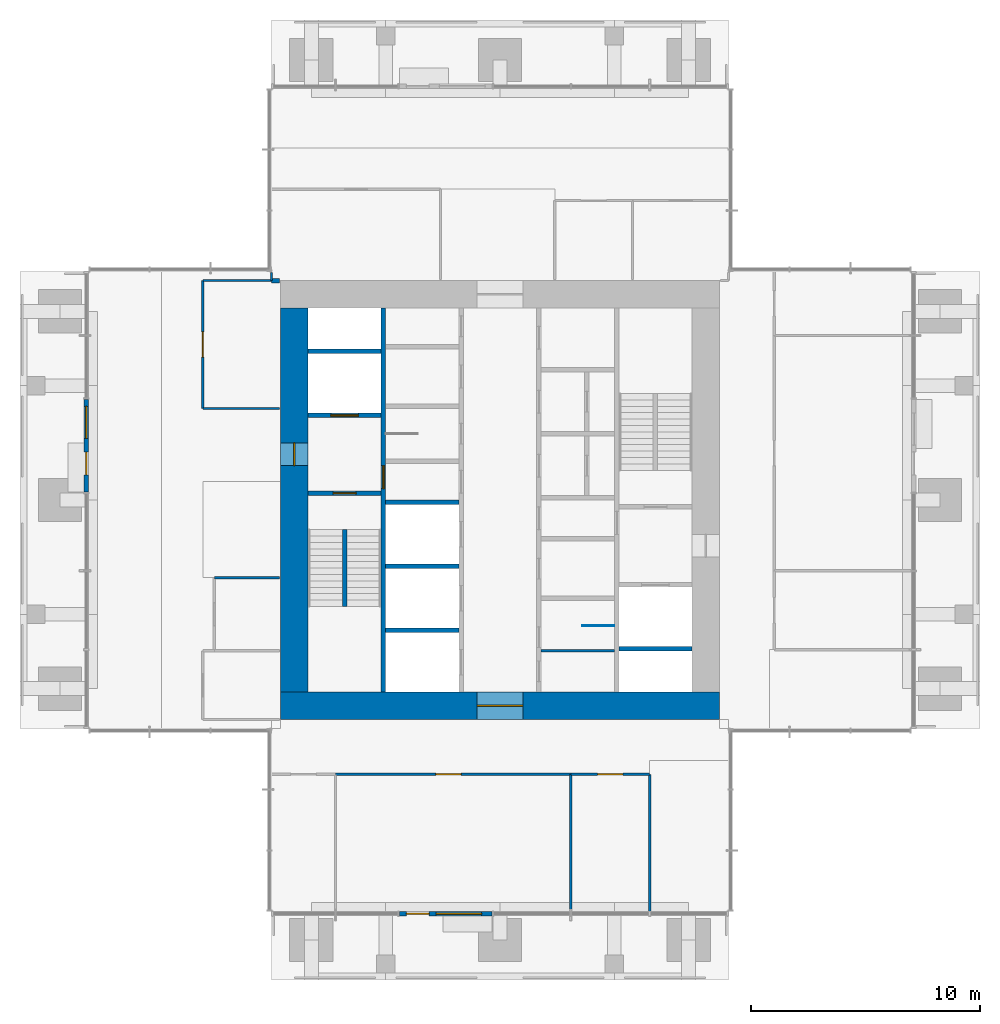
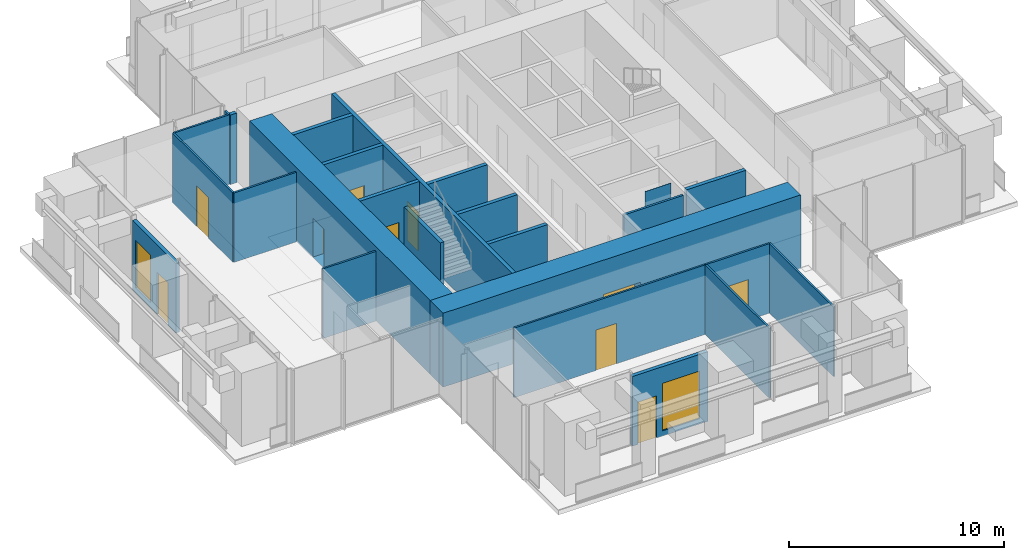
# One storey, part 7 of 12: 25 walls, 10 doors, 2 windows, 12 openings.
"""IFC4 building model written with IfcOpenShell, lengths in metres."""

import ifcopenshell
import ifcopenshell.guid

model = None  # the IFC model being written
_history = None  # IfcOwnerHistory: only IFC2X3 demands one
_inside = {}  # id of a spatial element -> (the spatial element, [elements in it])
_under = {}  # id of a project, library or spatial element -> (it, [spatial elements below it])
_declared = {}  # id of a project -> (the project, [libraries it declares])
_typed = {}  # id of a type object -> (the type object, [elements of that type])
_made_of = {}  # id of a material, layer set ... -> (it, [elements and type objects made of it])


def new_model(schema):
    """Start an empty IFC model of exactly this schema.

    Asked for "IFC4X3", IfcOpenShell would pick the latest addendum, in which some entities
    have other attributes; the version numbers below select the first issue.
    IFC2X3 requires an IfcOwnerHistory on every rooted entity: one is made here for all.
    """
    global model, _history
    if schema == "IFC4X3":
        model = ifcopenshell.file(schema_version=(4, 3, 0, 0))
    else:
        model = ifcopenshell.file(schema=schema)
    _inside.clear()
    _under.clear()
    _declared.clear()
    _typed.clear()
    _made_of.clear()
    _history = None
    if model.schema == "IFC2X3":
        org = make("IfcOrganization", Name="unknown")
        user = make(
            "IfcPersonAndOrganization",
            ThePerson=make("IfcPerson", FamilyName="unknown"),
            TheOrganization=org,
        )
        app = make(
            "IfcApplication",
            ApplicationDeveloper=org,
            Version="unknown",
            ApplicationFullName="unknown",
            ApplicationIdentifier="unknown",
        )
        _history = make(
            "IfcOwnerHistory",
            OwningUser=user,
            OwningApplication=app,
            ChangeAction="ADDED",
            CreationDate=0,
        )
    return model


def make(cls, **values):
    """One entity of the class cls with the attributes given. An attribute that is None is left unset."""
    return model.create_entity(
        cls, **{name: value for name, value in values.items() if value is not None}
    )


def rooted(cls, **values):
    """An entity with a GlobalId (a new one), such as an element, a storey or a relation."""
    return make(cls, GlobalId=ifcopenshell.guid.new(), OwnerHistory=_history, **values)


def si_unit(unit_type, name, prefix=None):
    """IfcSIUnit, for example si_unit("LENGTHUNIT", "METRE", prefix="MILLI")."""
    return make("IfcSIUnit", UnitType=unit_type, Prefix=prefix, Name=name)


def assignment(units):
    """IfcUnitAssignment: the units of a project."""
    return None if units is None else make("IfcUnitAssignment", Units=units)


def point(xyz):
    """IfcCartesianPoint."""
    return None if xyz is None else make("IfcCartesianPoint", Coordinates=xyz)


def direction(xyz):
    """IfcDirection."""
    return None if xyz is None else make("IfcDirection", DirectionRatios=xyz)


def frame(location, z_axis=None, x_axis=None):
    """IfcAxis2Placement3D, a coordinate frame: its origin and axes. An axis left out is left unset."""
    return make(
        "IfcAxis2Placement3D",
        Location=point(location),
        Axis=direction(z_axis),
        RefDirection=direction(x_axis),
    )


def frame_2d(location, x_axis=None):
    """IfcAxis2Placement2D, a coordinate frame in the plane: its origin and x axis."""
    return make(
        "IfcAxis2Placement2D", Location=point(location), RefDirection=direction(x_axis)
    )


def origin():
    """The frame at (0, 0, 0) with its axes left unset."""
    return frame((0.0, 0.0, 0.0))


def place(relative_to, where):
    """IfcLocalPlacement: puts the frame where relative to a parent placement (None: the world)."""
    return make(
        "IfcLocalPlacement", PlacementRelTo=relative_to, RelativePlacement=where
    )


def context(
    kind, dimensions, precision=None, world=None, true_north=None, identifier=None
):
    """IfcGeometricRepresentationContext, for example the 3D "Model" context."""
    return make(
        "IfcGeometricRepresentationContext",
        ContextIdentifier=identifier,
        ContextType=kind,
        CoordinateSpaceDimension=dimensions,
        Precision=precision,
        WorldCoordinateSystem=world,
        TrueNorth=true_north,
    )


def subcontext(parent, identifier, kind, view, scale=None):
    """IfcGeometricRepresentationSubContext, for example "Body" below "Model"."""
    return make(
        "IfcGeometricRepresentationSubContext",
        ContextIdentifier=identifier,
        ContextType=kind,
        ParentContext=parent,
        TargetScale=scale,
        TargetView=view,
    )


def project(units=None, contexts=None):
    """IfcProject with its units and contexts."""
    return rooted(
        "IfcProject",
        Name="project",
        RepresentationContexts=contexts,
        UnitsInContext=assignment(units),
    )


def spatial(cls, under=None, at=None, **own):
    """A site, building, storey or space (cls), placed at a placement, below another one or the project."""
    s = rooted(cls, ObjectPlacement=at, **own)
    if under is not None:
        _under.setdefault(under.id(), (under, []))[1].append(s)
    return s


def profile(cls, at=None, kind="AREA", **sizes):
    """A parametric profile (cls). Its sizes go by their IFC names, for example OverallWidth=200.0."""
    return make(cls, ProfileType=kind, Position=at, **sizes)


def rectangle(**sizes):
    """IfcRectangleProfileDef."""
    return profile("IfcRectangleProfileDef", **sizes)


def extrude(swept, where, along, depth):
    """IfcExtrudedAreaSolid: the profile swept, set in the frame where, extruded along a direction by depth."""
    return make(
        "IfcExtrudedAreaSolid",
        SweptArea=swept,
        Position=where,
        ExtrudedDirection=direction(along),
        Depth=depth,
    )


def shape(context_of_items, identifier, shape_type, items):
    """IfcShapeRepresentation: the items that make up one representation, for example the "Body"."""
    return make(
        "IfcShapeRepresentation",
        ContextOfItems=context_of_items,
        RepresentationIdentifier=identifier,
        RepresentationType=shape_type,
        Items=items,
    )


def material(Name=None, Category=None):
    """IfcMaterial."""
    return make("IfcMaterial", Name=Name, Category=Category)


def layer(
    of_material, thickness, ventilated=None, Name=None, Category=None, Priority=None
):
    """IfcMaterialLayer: one layer of a wall or slab, of a material (None: an air gap)."""
    return make(
        "IfcMaterialLayer",
        Material=of_material,
        LayerThickness=thickness,
        IsVentilated=ventilated,
        Name=Name,
        Category=Category,
        Priority=Priority,
    )


def layer_set(layers, Name=None):
    """IfcMaterialLayerSet."""
    return make("IfcMaterialLayerSet", MaterialLayers=layers, LayerSetName=Name)


def made_of(thing, what):
    """Note that an element or type object is made of a material, layer set ...; save() writes the relation."""
    if what is not None:
        _made_of.setdefault(what.id(), (what, []))[1].append(thing)
    return thing


def type_object(cls, material=None, **own):
    """A type object (cls), such as IfcWallType, which elements share."""
    return made_of(rooted(cls, **own), material)


def element(
    cls,
    number,
    at=None,
    inside=None,
    cuts=None,
    type_object=None,
    material=None,
    context=None,
    identifier="Body",
    shape_type=None,
    held_by="IfcProductDefinitionShape",
    body=None,
    shapes=None,
    **own,
):
    """One element of the class cls, such as IfcWall. Its Tag is "e" and its number.

    at: its placement. inside: the storey or other place that contains it. cuts: it is an
    opening in that element (IfcRelVoidsElement). A single representation is given by context,
    identifier, shape_type and body (its items); several are given by shapes. held_by: the class
    of the entity that holds the representations. save() writes the other relations.
    """
    e = rooted(cls, Tag="e%d" % number, ObjectPlacement=at, **own)
    if body is not None:
        shapes = [shape(context, identifier, shape_type, body)]
    if shapes is not None:
        e.Representation = make(held_by, Representations=shapes)
    if inside is not None:
        _inside.setdefault(inside.id(), (inside, []))[1].append(e)
    if cuts is not None:
        rooted(
            "IfcRelVoidsElement", RelatingBuildingElement=cuts, RelatedOpeningElement=e
        )
    if type_object is not None:
        _typed.setdefault(type_object.id(), (type_object, []))[1].append(e)
    return made_of(e, material)


def fill(opening, filler):
    """IfcRelFillsElement: the door or window that sits in an opening."""
    return rooted(
        "IfcRelFillsElement",
        RelatingOpeningElement=opening,
        RelatedBuildingElement=filler,
    )


def aggregate(whole, parts):
    """IfcRelAggregates: a whole, such as a stair, and the parts it consists of."""
    return rooted("IfcRelAggregates", RelatingObject=whole, RelatedObjects=parts)


def save(model, path):
    """Write the relations noted so far, then the file.

    IfcRelAggregates (storeys below a building ...), IfcRelContainedInSpatialStructure (elements
    in a storey), IfcRelDefinesByType, IfcRelAssociatesMaterial and IfcRelDeclares: one each for
    every whole, place, type object, material and project.
    """
    for whole, parts in _under.values():
        aggregate(whole, parts)
    for where, things in _inside.values():
        rooted(
            "IfcRelContainedInSpatialStructure",
            RelatedElements=things,
            RelatingStructure=where,
        )
    for kind, things in _typed.values():
        rooted("IfcRelDefinesByType", RelatedObjects=things, RelatingType=kind)
    for what, things in _made_of.values():
        rooted("IfcRelAssociatesMaterial", RelatedObjects=things, RelatingMaterial=what)
    for by, libraries in _declared.values():
        rooted("IfcRelDeclares", RelatingContext=by, RelatedDefinitions=libraries)
    model.write(path)


model = new_model("IFC4")

# Units and contexts
model_context = context("Model", 3, precision=1e-05, world=origin(), true_north=direction((0.0, 1.0)))
body_context = subcontext(model_context, "Body", "Model", "MODEL_VIEW")
ifc_project = project(units=[si_unit("LENGTHUNIT", "METRE"), si_unit("AREAUNIT", "SQUARE_METRE"), si_unit("VOLUMEUNIT", "CUBIC_METRE"), si_unit("PLANEANGLEUNIT", "RADIAN"), si_unit("MASSUNIT", "GRAM", prefix="KILO")], contexts=[model_context])

# Site, building, storey
site_placement = place(None, origin())
site = spatial("IfcSite", under=ifc_project, at=site_placement, CompositionType="ELEMENT")
building_placement = place(site_placement, origin())
building = spatial("IfcBuilding", under=site, at=building_placement, Name="Svetlomir Tower", CompositionType="ELEMENT")
storey_placement = place(building_placement, frame((0.0, 0.0, 248.199951171875)))
storey = spatial("IfcBuildingStorey", under=building, at=storey_placement, Name="L59", CompositionType="ELEMENT", Elevation=248.199951171875)

# Wall
ifc_material_1 = material(Name="Gypsum board on twin steel studs", Category="steel")
ifc_layer_1 = layer(ifc_material_1, 0.199951171875)
ifc_layer_set_1 = layer_set([ifc_layer_1], Name="Gypsum board on twin steel studs")
wall_type_1 = type_object("IfcWallType", Name="ACOUSTIC PARTITION 200", PredefinedType="PARTITIONING", material=ifc_layer_set_1)
wall_1_placement = place(storey_placement, frame((11.0, 30.60009765625, 0.0), z_axis=(0.0, 0.0, 1.0), x_axis=(1.0, 0.0, 0.0)))
element("IfcWall", 1, at=wall_1_placement, inside=storey, type_object=wall_type_1, Name="Acoustic partition L59", PredefinedType="PARTITIONING", context=body_context, shape_type="SweptSolid", body=[
    extrude(rectangle(XDim=0.35009765625, YDim=0.199951171875, at=frame_2d((0.175048828125, 0.0))), origin(), (0.0, 0.0, 1.0), 3.949951171875),
])

# Wall, openings, door, window
ifc_material_2 = material(Name="Bronze anodised aluminium glazed screen", Category="aluminium")
ifc_layer_2 = layer(ifc_material_2, 0.199951171875)
ifc_layer_set_2 = layer_set([ifc_layer_2], Name="Bronze anodised aluminium glazed screen")
wall_type_2 = type_object("IfcWallType", Name="BALCONY SCREEN WALL 200", PredefinedType="USERDEFINED", material=ifc_layer_set_2)
wall_2_placement = place(storey_placement, frame((16.60009765625, 2.89990234375, 0.0), z_axis=(0.0, 0.0, 1.0), x_axis=(1.0, 0.0, 0.0)))
wall_2 = element("IfcWall", 2, at=wall_2_placement, inside=storey, type_object=wall_type_2, Name="Balcony screen S", ObjectType="GLAZED SCREEN", PredefinedType="USERDEFINED", context=body_context, shape_type="SweptSolid", body=[
    extrude(rectangle(XDim=4.0498046875, YDim=0.199951171875, at=frame_2d((2.02490234375, 0.0))), origin(), (0.0, 0.0, 1.0), 3.949951171875),
])
opening_1_placement = place(wall_2_placement, frame((0.300048828125, 0.0, 0.0)))
opening_1 = element("IfcOpeningElement", 3, at=opening_1_placement, cuts=wall_2, Name="Opening BD", PredefinedType="OPENING", context=body_context, shape_type="SweptSolid", body=[
    extrude(rectangle(XDim=1.0, YDim=2.39990234375, at=frame_2d((0.5, 1.199951171875))), frame((0.0, 0.10986328125, 0.0), z_axis=(0.0, -1.0, 0.0), x_axis=(1.0, 0.0, 0.0)), (0.0, 0.0, 1.0), 0.219970703125),
])
opening_2_placement = place(wall_2_placement, frame((1.60009765625, 0.0, 0.300048828125)))
opening_2 = element("IfcOpeningElement", 4, at=opening_2_placement, cuts=wall_2, Name="Opening WS", PredefinedType="OPENING", context=body_context, shape_type="SweptSolid", body=[
    extrude(rectangle(XDim=2.0, YDim=2.699951171875, at=frame_2d((1.0, 1.35009765625))), frame((0.0, 0.10986328125, 0.0), z_axis=(0.0, -1.0, 0.0), x_axis=(1.0, 0.0, 0.0)), (0.0, 0.0, 1.0), 0.219970703125),
])
ifc_material_3 = material(Name="Bronze anodised aluminium glazed door", Category="aluminium")
door_type_1 = type_object("IfcDoorType", Name="BALCONY DOOR BD 1000x2400", OperationType="SINGLE_SWING_LEFT", PredefinedType="DOOR", material=ifc_material_3)
door_1_placement = place(opening_1_placement, origin())
door_1 = element("IfcDoor", 5, at=door_1_placement, inside=storey, type_object=door_type_1, Name="Balcony screen S door", OperationType="SINGLE_SWING_LEFT", OverallHeight=2.39990234375, OverallWidth=1.0, PredefinedType="DOOR", context=body_context, shape_type="SweptSolid", body=[
    extrude(rectangle(XDim=1.0, YDim=2.39990234375, at=frame_2d((0.5, 1.199951171875))), frame((0.0, 0.02490234375, 0.0), z_axis=(0.0, -1.0, 0.0), x_axis=(1.0, 0.0, 0.0)), (0.0, 0.0, 1.0), 0.050048828125),
])
fill(opening_1, door_1)
ifc_material_4 = material(Name="Bronze anodised aluminium window", Category="aluminium")
window_type_1 = type_object("IfcWindowType", Name="SCREEN WINDOW WS 2000x2700", PartitioningType="SINGLE_PANEL", PredefinedType="WINDOW", material=ifc_material_4)
window_1_placement = place(opening_2_placement, origin())
window_1 = element("IfcWindow", 6, at=window_1_placement, inside=storey, type_object=window_type_1, Name="Balcony screen S window 1", OverallHeight=2.699951171875, OverallWidth=2.0, PartitioningType="SINGLE_PANEL", PredefinedType="WINDOW", context=body_context, shape_type="SweptSolid", body=[
    extrude(rectangle(XDim=2.0, YDim=2.699951171875, at=frame_2d((1.0, 1.35009765625))), frame((0.0, 0.030029296875, 0.0), z_axis=(0.0, -1.0, 0.0), x_axis=(1.0, 0.0, 0.0)), (0.0, 0.0, 1.0), 0.06005859375),
])
fill(opening_2, window_1)

wall_3_placement = place(storey_placement, frame((2.89990234375, 25.39990234375, 0.0), z_axis=(0.0, 0.0, 1.0), x_axis=(0.0, -1.0, 0.0)))
wall_3 = element("IfcWall", 7, at=wall_3_placement, inside=storey, type_object=wall_type_2, Name="Balcony screen W", ObjectType="GLAZED SCREEN", PredefinedType="USERDEFINED", context=body_context, shape_type="SweptSolid", body=[
    extrude(rectangle(XDim=4.0498046875, YDim=0.199951171875, at=frame_2d((2.02490234375, 0.0))), origin(), (0.0, 0.0, 1.0), 3.949951171875),
])
opening_3_placement = place(wall_3_placement, frame((2.300048828125, 0.0, 0.0)))
opening_3 = element("IfcOpeningElement", 8, at=opening_3_placement, cuts=wall_3, Name="Opening BD", PredefinedType="OPENING", context=body_context, shape_type="SweptSolid", body=[
    extrude(rectangle(XDim=1.0, YDim=2.39990234375, at=frame_2d((0.5, 1.199951171875))), frame((0.0, 0.10986328125, 0.0), z_axis=(0.0, -1.0, 0.0), x_axis=(1.0, 0.0, 0.0)), (0.0, 0.0, 1.0), 0.219970703125),
])
opening_4_placement = place(wall_3_placement, frame((0.300048828125, 0.0, 0.300048828125)))
opening_4 = element("IfcOpeningElement", 9, at=opening_4_placement, cuts=wall_3, Name="Opening WS2", PredefinedType="OPENING", context=body_context, shape_type="SweptSolid", body=[
    extrude(rectangle(XDim=1.39990234375, YDim=2.699951171875, at=frame_2d((0.699951171875, 1.35009765625))), frame((0.0, 0.10986328125, 0.0), z_axis=(0.0, -1.0, 0.0), x_axis=(1.0, 0.0, 0.0)), (0.0, 0.0, 1.0), 0.219970703125),
])
door_2_placement = place(opening_3_placement, origin())
door_2 = element("IfcDoor", 10, at=door_2_placement, inside=storey, type_object=door_type_1, Name="Balcony screen W door", OperationType="SINGLE_SWING_LEFT", OverallHeight=2.39990234375, OverallWidth=1.0, PredefinedType="DOOR", context=body_context, shape_type="SweptSolid", body=[
    extrude(rectangle(XDim=1.0, YDim=2.39990234375, at=frame_2d((0.5, 1.199951171875))), frame((0.0, 0.02490234375, 0.0), z_axis=(0.0, -1.0, 0.0), x_axis=(1.0, 0.0, 0.0)), (0.0, 0.0, 1.0), 0.050048828125),
])
fill(opening_3, door_2)
ifc_material_5 = material(Name="Bronze anodised aluminium window", Category="aluminium")
window_type_2 = type_object("IfcWindowType", Name="SCREEN WINDOW WS2 1400x2700", PartitioningType="SINGLE_PANEL", PredefinedType="WINDOW", material=ifc_material_5)
window_2_placement = place(opening_4_placement, origin())
window_2 = element("IfcWindow", 11, at=window_2_placement, inside=storey, type_object=window_type_2, Name="Balcony screen W window 1", OverallHeight=2.699951171875, OverallWidth=1.39990234375, PartitioningType="SINGLE_PANEL", PredefinedType="WINDOW", context=body_context, shape_type="SweptSolid", body=[
    extrude(rectangle(XDim=1.39990234375, YDim=2.699951171875, at=frame_2d((0.699951171875, 1.35009765625))), frame((0.0, 0.030029296875, 0.0), z_axis=(0.0, -1.0, 0.0), x_axis=(1.0, 0.0, 0.0)), (0.0, 0.0, 1.0), 0.06005859375),
])
fill(opening_4, window_2)

# Wall, opening, door
ifc_material_6 = material(Name="Concrete C60/75", Category="concrete")
ifc_layer_3 = layer(ifc_material_6, 0.199951171875)
ifc_layer_set_3 = layer_set([ifc_layer_3], Name="Concrete C60/75")
wall_type_3 = type_object("IfcWallType", Name="CORE INNER WALL 200", PredefinedType="SHEAR", material=ifc_layer_set_3)
wall_4_placement = place(storey_placement, frame((15.89990234375, 12.60009765625, -0.050048828125), z_axis=(0.0, 0.0, 1.0), x_axis=(0.0, 1.0, 0.0)))
wall_4 = element("IfcWall", 12, at=wall_4_placement, inside=storey, type_object=wall_type_3, Name="Core inner wall 15.9 L59", PredefinedType="SHEAR", context=body_context, shape_type="SweptSolid", body=[
    extrude(rectangle(XDim=16.7998046875, YDim=0.199951171875, at=frame_2d((8.39990234375, 0.0))), origin(), (0.0, 0.0, 1.0), 4.2001953125),
])
opening_5_placement = place(wall_4_placement, frame((8.89990234375, 0.0, 0.050048828125)))
opening_5 = element("IfcOpeningElement", 13, at=opening_5_placement, cuts=wall_4, Name="Opening DF", PredefinedType="OPENING", context=body_context, shape_type="SweptSolid", body=[
    extrude(rectangle(XDim=1.0, YDim=2.199951171875, at=frame_2d((0.5, 1.10009765625))), frame((0.0, 0.10986328125, 0.0), z_axis=(0.0, -1.0, 0.0), x_axis=(1.0, 0.0, 0.0)), (0.0, 0.0, 1.0), 0.219970703125),
])
ifc_material_7 = material(Name="Steel fire door", Category="steel")
door_type_2 = type_object("IfcDoorType", Name="DOOR DF 1000x2200", OperationType="SINGLE_SWING_LEFT", PredefinedType="DOOR", material=ifc_material_7)
door_3_placement = place(opening_5_placement, origin())
door_3 = element("IfcDoor", 14, at=door_3_placement, inside=storey, type_object=door_type_2, Name="Core corridor west door L59", OperationType="SINGLE_SWING_LEFT", OverallHeight=2.199951171875, OverallWidth=1.0, PredefinedType="DOOR", context=body_context, shape_type="SweptSolid", body=[
    extrude(rectangle(XDim=1.0, YDim=2.199951171875, at=frame_2d((0.5, 1.10009765625))), frame((0.0, 0.02490234375, 0.0), z_axis=(0.0, -1.0, 0.0), x_axis=(1.0, 0.0, 0.0)), (0.0, 0.0, 1.0), 0.050048828125),
])
fill(opening_5, door_3)

wall_5_placement = place(storey_placement, frame((12.60009765625, 21.300048828125, -0.050048828125), z_axis=(0.0, 0.0, 1.0), x_axis=(1.0, 0.0, 0.0)))
wall_5 = element("IfcWall", 15, at=wall_5_placement, inside=storey, type_object=wall_type_3, Name="Core inner wall 12.6-15.8/21.3 L59", PredefinedType="SHEAR", context=body_context, shape_type="SweptSolid", body=[
    extrude(rectangle(XDim=3.199951171875, YDim=0.199951171875, at=frame_2d((1.60009765625, 0.0))), origin(), (0.0, 0.0, 1.0), 4.2001953125),
])
opening_6_placement = place(wall_5_placement, frame((1.10009765625, 0.0, 0.050048828125)))
opening_6 = element("IfcOpeningElement", 16, at=opening_6_placement, cuts=wall_5, Name="Opening DF", PredefinedType="OPENING", context=body_context, shape_type="SweptSolid", body=[
    extrude(rectangle(XDim=1.0, YDim=2.199951171875, at=frame_2d((0.5, 1.10009765625))), frame((0.0, 0.10986328125, 0.0), z_axis=(0.0, -1.0, 0.0), x_axis=(1.0, 0.0, 0.0)), (0.0, 0.0, 1.0), 0.219970703125),
])
door_4_placement = place(opening_6_placement, origin())
door_4 = element("IfcDoor", 17, at=door_4_placement, inside=storey, type_object=door_type_2, Name="Stair S1 door L59", OperationType="SINGLE_SWING_RIGHT", OverallHeight=2.199951171875, OverallWidth=1.0, PredefinedType="DOOR", context=body_context, shape_type="SweptSolid", body=[
    extrude(rectangle(XDim=1.0, YDim=2.199951171875, at=frame_2d((0.5, 1.10009765625))), frame((0.0, 0.02490234375, 0.0), z_axis=(0.0, -1.0, 0.0), x_axis=(1.0, 0.0, 0.0)), (0.0, 0.0, 1.0), 0.050048828125),
])
fill(opening_6, door_4)

wall_6_placement = place(storey_placement, frame((12.60009765625, 24.699951171875, -0.050048828125), z_axis=(0.0, 0.0, 1.0), x_axis=(1.0, 0.0, 0.0)))
wall_6 = element("IfcWall", 18, at=wall_6_placement, inside=storey, type_object=wall_type_3, Name="Core inner wall 12.6-15.8/24.7 L59", PredefinedType="SHEAR", context=body_context, shape_type="SweptSolid", body=[
    extrude(rectangle(XDim=3.199951171875, YDim=0.199951171875, at=frame_2d((1.60009765625, 0.0))), origin(), (0.0, 0.0, 1.0), 4.2001953125),
])
opening_7_placement = place(wall_6_placement, frame((1.0, 0.0, 0.050048828125)))
opening_7 = element("IfcOpeningElement", 19, at=opening_7_placement, cuts=wall_6, Name="Opening LD3", PredefinedType="OPENING", context=body_context, shape_type="SweptSolid", body=[
    extrude(rectangle(XDim=1.199951171875, YDim=2.199951171875, at=frame_2d((0.60009765625, 1.10009765625))), frame((0.0, 0.10986328125, 0.0), z_axis=(0.0, -1.0, 0.0), x_axis=(1.0, 0.0, 0.0)), (0.0, 0.0, 1.0), 0.219970703125),
])
ifc_material_8 = material(Name="Stainless steel fire-rated landing door", Category="steel")
door_type_3 = type_object("IfcDoorType", Name="FIREFIGHTING LIFT LANDING DOOR LD3 1200x2200", OperationType="DOUBLE_DOOR_SLIDING", PredefinedType="DOOR", material=ifc_material_8)
door_5_placement = place(opening_7_placement, origin())
door_5 = element("IfcDoor", 20, at=door_5_placement, inside=storey, type_object=door_type_3, Name="Landing door lift FL1 L59", OperationType="DOUBLE_DOOR_SLIDING", OverallHeight=2.199951171875, OverallWidth=1.199951171875, PredefinedType="DOOR", context=body_context, shape_type="SweptSolid", body=[
    extrude(rectangle(XDim=1.199951171875, YDim=2.199951171875, at=frame_2d((0.60009765625, 1.10009765625))), frame((0.0, 0.02490234375, 0.0), z_axis=(0.0, -1.0, 0.0), x_axis=(1.0, 0.0, 0.0)), (0.0, 0.0, 1.0), 0.050048828125),
])
fill(opening_7, door_5)

# Walls
for number, where, z_axis, x_axis, name in (
    (21, (12.60009765625, 27.5, -0.050048828125), (0.0, 0.0, 1.0), (1.0, 0.0, 0.0), "Core inner wall 12.6-15.8/27.5 L59"),
    (22, (16.0, 15.300048828125, -0.050048828125), (0.0, 0.0, 1.0), (1.0, 0.0, 0.0), "Core inner wall 16-19.2/15.3 L59"),
    (23, (16.0, 18.10009765625, -0.050048828125), (0.0, 0.0, 1.0), (1.0, 0.0, 0.0), "Core inner wall 16-19.2/18.1 L59"),
    (24, (16.0, 20.89990234375, -0.050048828125), (0.0, 0.0, 1.0), (1.0, 0.0, 0.0), "Core inner wall 16-19.2/20.9 L59"),
    (25, (26.199951171875, 14.5, -0.050048828125), (0.0, 0.0, 1.0), (1.0, 0.0, 0.0), "Core inner wall 26.2-29.4/14.5 L59"),
):
    element("IfcWall", number, at=place(storey_placement, frame(where, z_axis=z_axis, x_axis=x_axis)), inside=storey, type_object=wall_type_3, Name=name, PredefinedType="SHEAR", context=body_context, shape_type="SweptSolid", body=[
        extrude(rectangle(XDim=3.199951171875, YDim=0.199951171875, at=frame_2d((1.60009765625, 0.0))), origin(), (0.0, 0.0, 1.0), 4.2001953125),
    ])

# Wall, opening, door
ifc_material_9 = material(Name="Concrete C60/75", Category="concrete")
ifc_layer_4 = layer(ifc_material_9, 1.199951171875)
ifc_layer_set_4 = layer_set([ifc_layer_4], Name="Concrete C60/75")
wall_type_4 = type_object("IfcWallType", Name="CORE WALL 1200", PredefinedType="SHEAR", material=ifc_layer_set_4)
wall_7_placement = place(storey_placement, frame((11.39990234375, 12.0, -0.050048828125), z_axis=(0.0, 0.0, 1.0), x_axis=(1.0, 0.0, 0.0)))
wall_7 = element("IfcWall", 26, at=wall_7_placement, inside=storey, type_object=wall_type_4, Name="Core wall south L59", PredefinedType="SHEAR", context=body_context, shape_type="SweptSolid", body=[
    extrude(rectangle(XDim=19.2001953125, YDim=1.199951171875, at=frame_2d((9.60009765625, 0.0))), origin(), (0.0, 0.0, 1.0), 4.2001953125),
])
opening_8_placement = place(wall_7_placement, frame((8.60009765625, 0.0, 0.050048828125)))
opening_8 = element("IfcOpeningElement", 27, at=opening_8_placement, cuts=wall_7, Name="Opening DL", PredefinedType="OPENING", context=body_context, shape_type="SweptSolid", body=[
    extrude(rectangle(XDim=2.0, YDim=2.199951171875, at=frame_2d((1.0, 1.10009765625))), frame((0.0, 0.60986328125, 0.0), z_axis=(0.0, -1.0, 0.0), x_axis=(1.0, 0.0, 0.0)), (0.0, 0.0, 1.0), 1.219970703125),
])
ifc_material_10 = material(Name="Steel fire door", Category="steel")
door_type_4 = type_object("IfcDoorType", Name="DOOR DL 2000x2200", OperationType="DOUBLE_DOOR_SINGLE_SWING", PredefinedType="DOOR", material=ifc_material_10)
door_6_placement = place(opening_8_placement, origin())
door_6 = element("IfcDoor", 28, at=door_6_placement, inside=storey, type_object=door_type_4, Name="Lift lobby south door L59", OperationType="DOUBLE_DOOR_SINGLE_SWING", OverallHeight=2.199951171875, OverallWidth=2.0, PredefinedType="DOOR", context=body_context, shape_type="SweptSolid", body=[
    extrude(rectangle(XDim=2.0, YDim=2.199951171875, at=frame_2d((1.0, 1.10009765625))), frame((0.0, 0.02490234375, 0.0), z_axis=(0.0, -1.0, 0.0), x_axis=(1.0, 0.0, 0.0)), (0.0, 0.0, 1.0), 0.050048828125),
])
fill(opening_8, door_6)

wall_8_placement = place(storey_placement, frame((12.0, 12.60009765625, -0.050048828125), z_axis=(0.0, 0.0, 1.0), x_axis=(0.0, 1.0, 0.0)))
wall_8 = element("IfcWall", 29, at=wall_8_placement, inside=storey, type_object=wall_type_4, Name="Core wall west L59", PredefinedType="SHEAR", context=body_context, shape_type="SweptSolid", body=[
    extrude(rectangle(XDim=16.7998046875, YDim=1.199951171875, at=frame_2d((8.39990234375, 0.0))), origin(), (0.0, 0.0, 1.0), 4.2001953125),
])
opening_9_placement = place(wall_8_placement, frame((9.89990234375, 0.0, 0.050048828125)))
opening_9 = element("IfcOpeningElement", 30, at=opening_9_placement, cuts=wall_8, Name="Opening DF", PredefinedType="OPENING", context=body_context, shape_type="SweptSolid", body=[
    extrude(rectangle(XDim=1.0, YDim=2.199951171875, at=frame_2d((0.5, 1.10009765625))), frame((0.0, 0.60986328125, 0.0), z_axis=(0.0, -1.0, 0.0), x_axis=(1.0, 0.0, 0.0)), (0.0, 0.0, 1.0), 1.219970703125),
])
door_7_placement = place(opening_9_placement, origin())
door_7 = element("IfcDoor", 31, at=door_7_placement, inside=storey, type_object=door_type_2, Name="Firefighting lobby west door L59", OperationType="SINGLE_SWING_RIGHT", OverallHeight=2.199951171875, OverallWidth=1.0, PredefinedType="DOOR", context=body_context, shape_type="SweptSolid", body=[
    extrude(rectangle(XDim=1.0, YDim=2.199951171875, at=frame_2d((0.5, 1.10009765625))), frame((0.0, 0.02490234375, 0.0), z_axis=(0.0, -1.0, 0.0), x_axis=(1.0, 0.0, 0.0)), (0.0, 0.0, 1.0), 0.050048828125),
])
fill(opening_9, door_7)

ifc_material_11 = material(Name="Framed laminated glass partition", Category="glass")
ifc_layer_5 = layer(ifc_material_11, 0.10009765625)
ifc_layer_set_5 = layer_set([ifc_layer_5], Name="Framed laminated glass partition")
wall_type_5 = type_object("IfcWallType", Name="GLAZED PARTITION 100", PredefinedType="PARTITIONING", material=ifc_layer_set_5)
wall_9_placement = place(storey_placement, frame((8.0, 25.0, 0.0), z_axis=(0.0, 0.0, 1.0), x_axis=(0.0, 1.0, 0.0)))
wall_9 = element("IfcWall", 32, at=wall_9_placement, inside=storey, type_object=wall_type_5, Name="Glazed partition L59", PredefinedType="PARTITIONING", context=body_context, shape_type="SweptSolid", body=[
    extrude(rectangle(XDim=5.60009765625, YDim=0.10009765625, at=frame_2d((2.800048828125, 0.0))), origin(), (0.0, 0.0, 1.0), 3.949951171875),
])
opening_10_placement = place(wall_9_placement, frame((2.25, 0.0, 0.0)))
opening_10 = element("IfcOpeningElement", 33, at=opening_10_placement, cuts=wall_9, Name="Opening DE", PredefinedType="OPENING", context=body_context, shape_type="SweptSolid", body=[
    extrude(rectangle(XDim=1.10009765625, YDim=2.300048828125, at=frame_2d((0.550048828125, 1.14990234375))), frame((0.0, 0.06005859375, 0.0), z_axis=(0.0, -1.0, 0.0), x_axis=(1.0, 0.0, 0.0)), (0.0, 0.0, 1.0), 0.1201171875),
])
ifc_material_12 = material(Name="Walnut veneered timber door", Category="wood")
door_type_5 = type_object("IfcDoorType", Name="DOOR DE 1100x2300", OperationType="SINGLE_SWING_LEFT", PredefinedType="DOOR", material=ifc_material_12)
door_8_placement = place(opening_10_placement, origin())
door_8 = element("IfcDoor", 34, at=door_8_placement, inside=storey, type_object=door_type_5, Name="Executive meeting room, 4 seats door L59", OperationType="SINGLE_SWING_LEFT", OverallHeight=2.300048828125, OverallWidth=1.10009765625, PredefinedType="DOOR", context=body_context, shape_type="SweptSolid", body=[
    extrude(rectangle(XDim=1.10009765625, YDim=2.300048828125, at=frame_2d((0.550048828125, 1.14990234375))), frame((0.0, 0.02490234375, 0.0), z_axis=(0.0, -1.0, 0.0), x_axis=(1.0, 0.0, 0.0)), (0.0, 0.0, 1.0), 0.050048828125),
])
fill(opening_10, door_8)

# Walls
wall_10_placement = place(storey_placement, frame((8.0, 25.0, 0.0), z_axis=(0.0, 0.0, 1.0), x_axis=(1.0, 0.0, 0.0)))
element("IfcWall", 35, at=wall_10_placement, inside=storey, type_object=wall_type_5, Name="Glazed partition L59", PredefinedType="PARTITIONING", context=body_context, shape_type="SweptSolid", body=[
    extrude(rectangle(XDim=3.35009765625, YDim=0.10009765625, at=frame_2d((1.675048828125, 0.0))), origin(), (0.0, 0.0, 1.0), 3.949951171875),
])
wall_11_placement = place(storey_placement, frame((8.0, 30.60009765625, 0.0), z_axis=(0.0, 0.0, 1.0), x_axis=(1.0, 0.0, 0.0)))
element("IfcWall", 36, at=wall_11_placement, inside=storey, type_object=wall_type_5, Name="Glazed partition L59", PredefinedType="PARTITIONING", context=body_context, shape_type="SweptSolid", body=[
    extrude(rectangle(XDim=3.0, YDim=0.10009765625, at=frame_2d((1.5, 0.0))), origin(), (0.0, 0.0, 1.0), 3.949951171875),
])
wall_12_placement = place(storey_placement, frame((8.5, 17.60009765625, 0.0), z_axis=(0.0, 0.0, 1.0), x_axis=(1.0, 0.0, 0.0)))
element("IfcWall", 37, at=wall_12_placement, inside=storey, type_object=wall_type_5, Name="Partition L59", PredefinedType="PARTITIONING", context=body_context, shape_type="SweptSolid", body=[
    extrude(rectangle(XDim=2.85009765625, YDim=0.10009765625, at=frame_2d((1.425048828125, 0.0))), origin(), (0.0, 0.0, 1.0), 3.949951171875),
])
wall_13_placement = place(storey_placement, frame((11.0, 30.60009765625, 0.0), z_axis=(0.0, 0.0, 1.0), x_axis=(0.0, 1.0, 0.0)))
element("IfcWall", 38, at=wall_13_placement, inside=storey, type_object=wall_type_5, Name="Glazed partition L59", PredefinedType="PARTITIONING", context=body_context, shape_type="SweptSolid", body=[
    extrude(rectangle(XDim=0.349853515625, YDim=0.10009765625, at=frame_2d((0.1748046875, 0.0))), origin(), (0.0, 0.0, 1.0), 3.949951171875),
])

# Wall, opening, door
wall_14_placement = place(storey_placement, frame((13.800048828125, 9.0, 0.0), z_axis=(0.0, 0.0, 1.0), x_axis=(1.0, 0.0, 0.0)))
wall_14 = element("IfcWall", 39, at=wall_14_placement, inside=storey, type_object=wall_type_5, Name="Glazed partition L59", PredefinedType="PARTITIONING", context=body_context, shape_type="SweptSolid", body=[
    extrude(rectangle(XDim=10.300048828125, YDim=0.10009765625, at=frame_2d((5.14990234375, 0.0))), origin(), (0.0, 0.0, 1.0), 3.949951171875),
])
opening_11_placement = place(wall_14_placement, frame((4.39990234375, 0.0, 0.0)))
opening_11 = element("IfcOpeningElement", 40, at=opening_11_placement, cuts=wall_14, Name="Opening DE", PredefinedType="OPENING", context=body_context, shape_type="SweptSolid", body=[
    extrude(rectangle(XDim=1.10009765625, YDim=2.300048828125, at=frame_2d((0.550048828125, 1.14990234375))), frame((0.0, 0.06005859375, 0.0), z_axis=(0.0, -1.0, 0.0), x_axis=(1.0, 0.0, 0.0)), (0.0, 0.0, 1.0), 0.1201171875),
])
door_9_placement = place(opening_11_placement, origin())
door_9 = element("IfcDoor", 41, at=door_9_placement, inside=storey, type_object=door_type_5, Name="Executive lounge door L59", OperationType="SINGLE_SWING_LEFT", OverallHeight=2.300048828125, OverallWidth=1.10009765625, PredefinedType="DOOR", context=body_context, shape_type="SweptSolid", body=[
    extrude(rectangle(XDim=1.10009765625, YDim=2.300048828125, at=frame_2d((0.550048828125, 1.14990234375))), frame((0.0, 0.02490234375, 0.0), z_axis=(0.0, -1.0, 0.0), x_axis=(1.0, 0.0, 0.0)), (0.0, 0.0, 1.0), 0.050048828125),
])
fill(opening_11, door_9)

# Wall
wall_15_placement = place(storey_placement, frame((24.10009765625, 3.0, 0.0), z_axis=(0.0, 0.0, 1.0), x_axis=(0.0, 1.0, 0.0)))
element("IfcWall", 42, at=wall_15_placement, inside=storey, type_object=wall_type_5, Name="Partition L59", PredefinedType="PARTITIONING", context=body_context, shape_type="SweptSolid", body=[
    extrude(rectangle(XDim=6.0, YDim=0.10009765625, at=frame_2d((3.0, 0.0))), origin(), (0.0, 0.0, 1.0), 3.949951171875),
])

# Wall, opening, door
wall_16_placement = place(storey_placement, frame((24.10009765625, 9.0, 0.0), z_axis=(0.0, 0.0, 1.0), x_axis=(1.0, 0.0, 0.0)))
wall_16 = element("IfcWall", 43, at=wall_16_placement, inside=storey, type_object=wall_type_5, Name="Partition L59", PredefinedType="PARTITIONING", context=body_context, shape_type="SweptSolid", body=[
    extrude(rectangle(XDim=3.449951171875, YDim=0.10009765625, at=frame_2d((1.72509765625, 0.0))), origin(), (0.0, 0.0, 1.0), 3.949951171875),
])
opening_12_placement = place(wall_16_placement, frame((1.175048828125, 0.0, 0.0)))
opening_12 = element("IfcOpeningElement", 44, at=opening_12_placement, cuts=wall_16, Name="Opening DE", PredefinedType="OPENING", context=body_context, shape_type="SweptSolid", body=[
    extrude(rectangle(XDim=1.10009765625, YDim=2.300048828125, at=frame_2d((0.550048828125, 1.14990234375))), frame((0.0, 0.06005859375, 0.0), z_axis=(0.0, -1.0, 0.0), x_axis=(1.0, 0.0, 0.0)), (0.0, 0.0, 1.0), 0.1201171875),
])
door_10_placement = place(opening_12_placement, origin())
door_10 = element("IfcDoor", 45, at=door_10_placement, inside=storey, type_object=door_type_5, Name="Executive office - Deputy CFO door L59", OperationType="SINGLE_SWING_RIGHT", OverallHeight=2.300048828125, OverallWidth=1.10009765625, PredefinedType="DOOR", context=body_context, shape_type="SweptSolid", body=[
    extrude(rectangle(XDim=1.10009765625, YDim=2.300048828125, at=frame_2d((0.550048828125, 1.14990234375))), frame((0.0, 0.02490234375, 0.0), z_axis=(0.0, -1.0, 0.0), x_axis=(1.0, 0.0, 0.0)), (0.0, 0.0, 1.0), 0.050048828125),
])
fill(opening_12, door_10)

# Walls
wall_17_placement = place(storey_placement, frame((27.550048828125, 3.0, 0.0), z_axis=(0.0, 0.0, 1.0), x_axis=(0.0, 1.0, 0.0)))
element("IfcWall", 46, at=wall_17_placement, inside=storey, type_object=wall_type_5, Name="Partition L59", PredefinedType="PARTITIONING", context=body_context, shape_type="SweptSolid", body=[
    extrude(rectangle(XDim=6.0, YDim=0.10009765625, at=frame_2d((3.0, 0.0))), origin(), (0.0, 0.0, 1.0), 3.949951171875),
])
ifc_material_13 = material(Name="Gypsum board on steel studs", Category="steel")
ifc_layer_6 = layer(ifc_material_13, 0.1201171875)
ifc_layer_set_6 = layer_set([ifc_layer_6], Name="Gypsum board on steel studs")
wall_type_6 = type_object("IfcWallType", Name="PARTITION 120", PredefinedType="PARTITIONING", material=ifc_layer_set_6)
wall_18_placement = place(storey_placement, frame((22.800048828125, 14.39990234375, 0.0), z_axis=(0.0, 0.0, 1.0), x_axis=(1.0, 0.0, 0.0)))
element("IfcWall", 47, at=wall_18_placement, inside=storey, type_object=wall_type_6, Name="Floor store partition L59", PredefinedType="PARTITIONING", context=body_context, shape_type="SweptSolid", body=[
    extrude(rectangle(XDim=3.199951171875, YDim=0.1201171875, at=frame_2d((1.60009765625, 0.0))), origin(), (0.0, 0.0, 1.0), 3.949951171875),
])
ifc_material_14 = material(Name="Concrete C60/75", Category="concrete")
ifc_layer_7 = layer(ifc_material_14, 0.199951171875)
ifc_layer_set_7 = layer_set([ifc_layer_7], Name="Concrete C60/75")
wall_type_7 = type_object("IfcWallType", Name="STAIR SPINE WALL 200", PredefinedType="PARTITIONING", material=ifc_layer_set_7)
wall_19_placement = place(storey_placement, frame((14.199951171875, 16.340087890625, 0.0), z_axis=(0.0, 0.0, 1.0), x_axis=(0.0, 1.0, 0.0)))
element("IfcWall", 48, at=wall_19_placement, inside=storey, type_object=wall_type_7, Name="Stair S1 spine wall L59", PredefinedType="PARTITIONING", context=body_context, shape_type="SweptSolid", body=[
    extrude(rectangle(XDim=3.35986328125, YDim=0.199951171875, at=frame_2d((1.679931640625, 0.0))), origin(), (0.0, 0.0, 1.0), 4.199951171875),
])
ifc_material_15 = material(Name="Compact laminate panel", Category="plastic")
ifc_layer_8 = layer(ifc_material_15, 0.030029296875)
ifc_layer_set_8 = layer_set([ifc_layer_8], Name="Compact laminate panel")
wall_type_8 = type_object("IfcWallType", Name="WC CUBICLE PARTITION 30", PredefinedType="PARTITIONING", material=ifc_layer_set_8)
wall_20_placement = place(storey_placement, frame((24.60009765625, 15.5, 0.0), z_axis=(0.0, 0.0, 1.0), x_axis=(1.0, 0.0, 0.0)))
element("IfcWall", 49, at=wall_20_placement, inside=storey, type_object=wall_type_8, Name="WC cubicle partition L59", PredefinedType="PARTITIONING", context=body_context, shape_type="SweptSolid", body=[
    extrude(rectangle(XDim=1.39990234375, YDim=0.030029296875, at=frame_2d((0.699951171875, 0.0))), origin(), (0.0, 0.0, 1.0), 3.949951171875),
])

save(model, "model.ifc")
